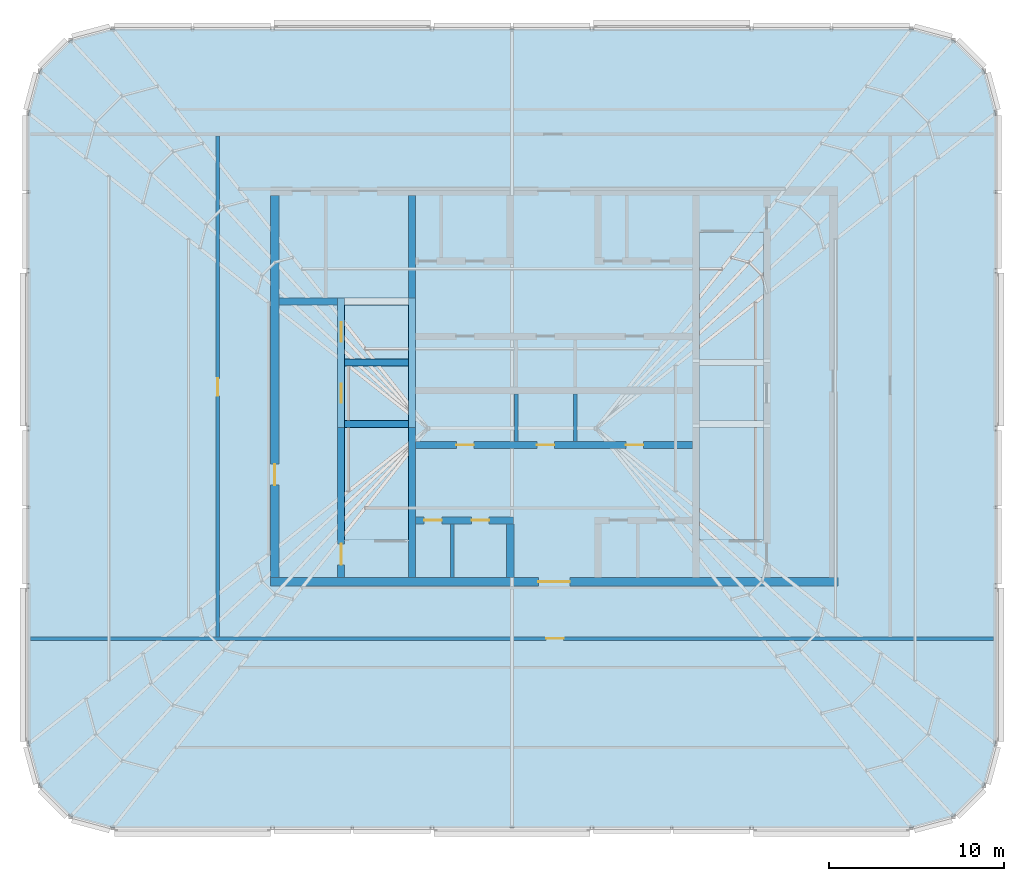
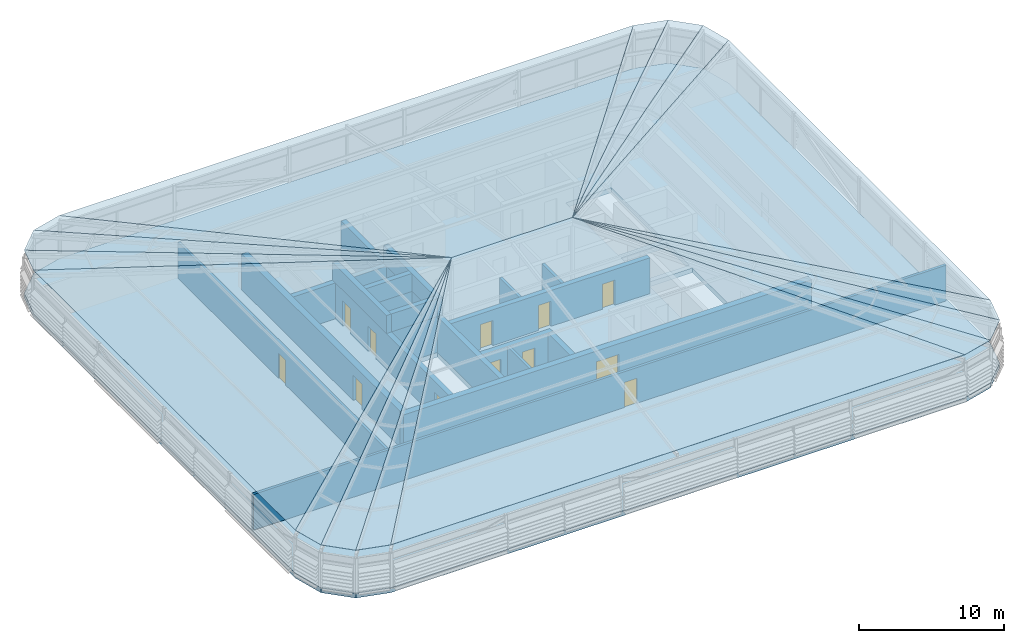
# One storey, part 21 of 46: 19 walls, 17 slabs, 12 doors, 12 openings.
"""IFC4 building model written with IfcOpenShell, lengths in metres."""

from ifc_helpers import new_model, si_unit, direction, frame, frame_2d, origin, place, context, subcontext, project, spatial, polyline, rectangle, outline, extrude, material, layer, layer_set, type_object, element, fill, save


model = new_model("IFC4")

# Units and contexts
model_context = context("Model", 3, precision=1e-05, world=origin(), true_north=direction((0.0, 1.0)))
body_context = subcontext(model_context, "Body", "Model", "MODEL_VIEW")
ifc_project = project(units=[si_unit("LENGTHUNIT", "METRE"), si_unit("AREAUNIT", "SQUARE_METRE"), si_unit("VOLUMEUNIT", "CUBIC_METRE"), si_unit("PLANEANGLEUNIT", "RADIAN"), si_unit("MASSUNIT", "GRAM", prefix="KILO")], contexts=[model_context])

# Site, building, storey
site_placement = place(None, origin())
site = spatial("IfcSite", under=ifc_project, at=site_placement, CompositionType="ELEMENT")
building_placement = place(site_placement, origin())
building = spatial("IfcBuilding", under=site, at=building_placement, Name="Madar Terraces", CompositionType="ELEMENT")
storey_placement = place(building_placement, frame((0.0, 0.0, 317.300048828125)))
storey = spatial("IfcBuildingStorey", under=building, at=storey_placement, Name="L82", CompositionType="ELEMENT", Elevation=317.300048828125)

# Slabs
ifc_material_1 = material(Name="Glass, safety glazing with ceramic frit, dark grey", Category="glass")
ifc_layer_1 = layer(ifc_material_1, 0.06005859375)
ifc_layer_set_1 = layer_set([ifc_layer_1], Name="Crown glass roof facet 60")
slab_type_1 = type_object("IfcSlabType", Name="Crown glass roof facet 60", PredefinedType="ROOF", material=ifc_layer_set_1)
for number, where, z_axis, x_axis, name in (
    (1, (6.0, 1.199951171875, 3.6142578125), (0.0, -0.172799118994, 0.984957087631), (1.0, 0.0, 0.0), "Glass roof facet S"),
    (2, (51.60009765625, 46.800048828125, 3.6142578125), (0.0, 0.172799118994, 0.984957087631), (-1.0, 0.0, 0.0), "Glass roof facet N"),
):
    element("IfcSlab", number, at=place(storey_placement, frame(where, z_axis=z_axis, x_axis=x_axis)), inside=storey, type_object=slab_type_1, Name=name, PredefinedType="ROOF", context=body_context, shape_type="SweptSolid", body=[
        extrude(outline(polyline([(0.0, 0.0), (45.60009765625, 0.0), (27.60009765625, 23.148266167574718), (18.0, 23.148266167574718), (0.0, 0.0)])), origin(), (0.0, 0.0, -1.0), 0.06005859375),
    ])
slab_1_placement = place(storey_placement, frame((51.60009765625, 1.199951171875, 3.6142578125), z_axis=(0.038372615076, -0.143205317464, 0.988948825502), x_axis=(0.965924366126, 0.258824494443, 0.0)))
element("IfcSlab", 3, at=slab_1_placement, inside=storey, type_object=slab_type_1, Name="Glass roof facet E1", PredefinedType="ROOF", context=body_context, shape_type="SweptSolid", body=[
    extrude(outline(polyline([(0.0, 0.0), (2.4845654876424637, 0.0), (-11.48542747905206, 26.980125688890336), (0.0, 0.0)])), origin(), (0.0, 0.0, -1.0), 0.06005859375),
])
slab_2_placement = place(storey_placement, frame((54.0, 1.843017578125, 3.6142578125), z_axis=(0.093179054812, -0.093166107882, 0.991280858327), x_axis=(0.70705765096, 0.707155907999, 0.0)))
element("IfcSlab", 4, at=slab_2_placement, inside=storey, type_object=slab_type_1, Name="Glass roof facet E2", PredefinedType="ROOF", context=body_context, shape_type="SweptSolid", body=[
    extrude(outline(polyline([(0.0, 0.0), (2.484713849165585, -2.220446049250313e-16), (1.2445339920692913, 30.356861181953555), (0.0, 0.0)])), origin(), (0.0, 0.0, -1.0), 0.06005859375),
])
slab_3_placement = place(storey_placement, frame((55.7568359375, 3.60009765625, 3.6142578125), z_axis=(0.143206555337, -0.038372946771, 0.98894863338), x_axis=(0.258824494443, 0.965924366126, 0.0)))
element("IfcSlab", 5, at=slab_3_placement, inside=storey, type_object=slab_type_1, Name="Glass roof facet E3", PredefinedType="ROOF", context=body_context, shape_type="SweptSolid", body=[
    extrude(outline(polyline([(0.0, 0.0), (2.4845654876424637, 0.0), (13.970056156268361, 26.979892473637744), (0.0, 0.0)])), origin(), (0.0, 0.0, -1.0), 0.06005859375),
])
slab_4_placement = place(storey_placement, frame((56.39990234375, 6.0, 3.6142578125), z_axis=(0.172800914079, 0.0, 0.984956772703), x_axis=(0.0, 1.0, 0.0)))
element("IfcSlab", 6, at=slab_4_placement, inside=storey, type_object=slab_type_1, Name="Glass roof facet E4", PredefinedType="ROOF", context=body_context, shape_type="SweptSolid", body=[
    extrude(outline(polyline([(0.0, 0.0), (36.0, 0.0), (18.0, 23.148025699574188), (0.0, 0.0)])), origin(), (0.0, 0.0, -1.0), 0.06005859375),
])
slab_5_placement = place(storey_placement, frame((56.39990234375, 42.0, 3.6142578125), z_axis=(0.143206555337, 0.038372946771, 0.98894863338), x_axis=(-0.258824494443, 0.965924366126, 0.0)))
element("IfcSlab", 7, at=slab_5_placement, inside=storey, type_object=slab_type_1, Name="Glass roof facet E5", PredefinedType="ROOF", context=body_context, shape_type="SweptSolid", body=[
    extrude(outline(polyline([(0.0, 0.0), (2.4845654876424637, 0.0), (-11.485490668625898, 26.97989247363774), (0.0, 0.0)])), origin(), (0.0, 0.0, -1.0), 0.06005859375),
])
slab_6_placement = place(storey_placement, frame((55.7568359375, 44.39990234375, 3.6142578125), z_axis=(0.093179054812, 0.093166107882, 0.991280858327), x_axis=(-0.70705765096, 0.707155907999, 0.0)))
element("IfcSlab", 8, at=slab_6_placement, inside=storey, type_object=slab_type_1, Name="Glass roof facet E6", PredefinedType="ROOF", context=body_context, shape_type="SweptSolid", body=[
    extrude(outline(polyline([(0.0, 0.0), (2.484713849165585, 2.220446049250313e-16), (1.2401798570962939, 30.356861181953555), (0.0, 0.0)])), origin(), (0.0, 0.0, -1.0), 0.06005859375),
])
slab_7_placement = place(storey_placement, frame((54.0, 46.156982421875, 3.6142578125), z_axis=(0.038372615076, 0.143205317464, 0.988948825502), x_axis=(-0.965924366126, 0.258824494443, 0.0)))
element("IfcSlab", 9, at=slab_7_placement, inside=storey, type_object=slab_type_1, Name="Glass roof facet E7", PredefinedType="ROOF", context=body_context, shape_type="SweptSolid", body=[
    extrude(outline(polyline([(0.0, 0.0), (2.4845654876424637, 0.0), (13.969992966694523, 26.980125688890336), (0.0, 0.0)])), origin(), (0.0, 0.0, -1.0), 0.06005859375),
])
slab_8_placement = place(storey_placement, frame((6.0, 46.800048828125, 3.6142578125), z_axis=(-0.038372615076, 0.143205317464, 0.988948825502), x_axis=(-0.965924366126, -0.258824494443, 0.0)))
element("IfcSlab", 10, at=slab_8_placement, inside=storey, type_object=slab_type_1, Name="Glass roof facet W1", PredefinedType="ROOF", context=body_context, shape_type="SweptSolid", body=[
    extrude(outline(polyline([(0.0, 0.0), (2.4845654876424637, 0.0), (-11.48542747905206, 26.980125688890336), (0.0, 0.0)])), origin(), (0.0, 0.0, -1.0), 0.06005859375),
])
slab_9_placement = place(storey_placement, frame((3.60009765625, 46.156982421875, 3.6142578125), z_axis=(-0.093172318716, 0.093172318716, 0.99128090774), x_axis=(-0.707106781187, -0.707106781187, 0.0)))
element("IfcSlab", 11, at=slab_9_placement, inside=storey, type_object=slab_type_1, Name="Glass roof facet W2", PredefinedType="ROOF", context=body_context, shape_type="SweptSolid", body=[
    extrude(outline(polyline([(0.0, 0.0), (2.4848864766599528, 0.0), (1.242443238329976, 30.356946824035884), (0.0, 0.0)])), origin(), (0.0, 0.0, -1.0), 0.06005859375),
])
slab_10_placement = place(storey_placement, frame((1.843017578125, 44.39990234375, 3.6142578125), z_axis=(-0.143205317464, 0.038372615076, 0.988948825502), x_axis=(-0.258824494443, -0.965924366126, 0.0)))
element("IfcSlab", 12, at=slab_10_placement, inside=storey, type_object=slab_type_1, Name="Glass roof facet W3", PredefinedType="ROOF", context=body_context, shape_type="SweptSolid", body=[
    extrude(outline(polyline([(0.0, 0.0), (2.4845654876424637, 0.0), (13.969992966694523, 26.980125688890336), (0.0, 0.0)])), origin(), (0.0, 0.0, -1.0), 0.06005859375),
])
slab_11_placement = place(storey_placement, frame((1.199951171875, 42.0, 3.6142578125), z_axis=(-0.172799118994, 0.0, 0.984957087631), x_axis=(0.0, -1.0, 0.0)))
element("IfcSlab", 13, at=slab_11_placement, inside=storey, type_object=slab_type_1, Name="Glass roof facet W4", PredefinedType="ROOF", context=body_context, shape_type="SweptSolid", body=[
    extrude(outline(polyline([(0.0, 0.0), (36.0, 0.0), (18.0, 23.148266167574718), (0.0, 0.0)])), origin(), (0.0, 0.0, -1.0), 0.06005859375),
])
slab_12_placement = place(storey_placement, frame((1.199951171875, 6.0, 3.6142578125), z_axis=(-0.143205317464, -0.038372615076, 0.988948825502), x_axis=(0.258824494443, -0.965924366126, 0.0)))
element("IfcSlab", 14, at=slab_12_placement, inside=storey, type_object=slab_type_1, Name="Glass roof facet W5", PredefinedType="ROOF", context=body_context, shape_type="SweptSolid", body=[
    extrude(outline(polyline([(0.0, 0.0), (2.4845654876424637, 0.0), (-11.48542747905206, 26.980125688890336), (0.0, 0.0)])), origin(), (0.0, 0.0, -1.0), 0.06005859375),
])
slab_13_placement = place(storey_placement, frame((1.843017578125, 3.60009765625, 3.6142578125), z_axis=(-0.093172318716, -0.093172318716, 0.99128090774), x_axis=(0.707106781187, -0.707106781187, 0.0)))
element("IfcSlab", 15, at=slab_13_placement, inside=storey, type_object=slab_type_1, Name="Glass roof facet W6", PredefinedType="ROOF", context=body_context, shape_type="SweptSolid", body=[
    extrude(outline(polyline([(0.0, 0.0), (2.4848864766599528, 0.0), (1.242443238329976, 30.356946824035884), (0.0, 0.0)])), origin(), (0.0, 0.0, -1.0), 0.06005859375),
])
slab_14_placement = place(storey_placement, frame((3.60009765625, 1.843017578125, 3.6142578125), z_axis=(-0.038372615076, -0.143205317464, 0.988948825502), x_axis=(0.965924366126, -0.258824494443, 0.0)))
element("IfcSlab", 16, at=slab_14_placement, inside=storey, type_object=slab_type_1, Name="Glass roof facet W7", PredefinedType="ROOF", context=body_context, shape_type="SweptSolid", body=[
    extrude(outline(polyline([(0.0, 0.0), (2.4845654876424637, 0.0), (13.969992966694523, 26.980125688890336), (0.0, 0.0)])), origin(), (0.0, 0.0, -1.0), 0.06005859375),
])
ifc_material_2 = material(Name="Concrete C50/60", Category="concrete")
ifc_layer_2 = layer(ifc_material_2, 0.39990234375)
ifc_layer_set_2 = layer_set([ifc_layer_2], Name="FS6 PT flat slab 400")
slab_type_2 = type_object("IfcSlabType", Name="FS6 PT flat slab 400", PredefinedType="FLOOR", material=ifc_layer_set_2)
slab_15_placement = place(storey_placement, frame((0.0, 0.0, -0.400146484375)))
element("IfcSlab", 17, at=slab_15_placement, inside=storey, type_object=slab_type_2, Name="Floor slab L82 (1)", PredefinedType="FLOOR", context=body_context, shape_type="SweptSolid", body=[
    extrude(outline(polyline([(51.60009765625, 1.199951171875), (54.0, 1.843017578125), (55.7568359375, 3.60009765625), (56.39990234375, 6.0), (56.39990234375, 42.0), (55.7568359375, 44.39990234375), (54.0, 46.156982421875), (51.60009765625, 46.800048828125), (6.0, 46.800048828125), (3.60009765625, 46.156982421875), (1.843017578125, 44.39990234375), (1.199951171875, 42.0), (1.199951171875, 6.0), (1.843017578125, 3.60009765625), (3.60009765625, 1.843017578125), (6.0, 1.199951171875), (51.60009765625, 1.199951171875)]), holes=[polyline([(22.89990234375, 24.050048828125), (22.89990234375, 17.64990234375), (19.25, 17.64990234375), (19.25, 24.050048828125), (22.89990234375, 24.050048828125)]), polyline([(43.14990234375, 17.64990234375), (39.5, 17.64990234375), (39.5, 24.050048828125), (43.14990234375, 24.050048828125), (43.14990234375, 17.64990234375)]), polyline([(22.89990234375, 24.449951171875), (19.25, 24.449951171875), (19.25, 27.550048828125), (22.89990234375, 27.550048828125), (22.89990234375, 24.449951171875)]), polyline([(43.14990234375, 27.550048828125), (43.14990234375, 24.449951171875), (39.5, 24.449951171875), (39.5, 27.550048828125), (43.14990234375, 27.550048828125)]), polyline([(22.89990234375, 27.949951171875), (19.25, 27.949951171875), (19.25, 31.050048828125), (22.89990234375, 31.050048828125), (22.89990234375, 27.949951171875)]), polyline([(43.14990234375, 27.949951171875), (39.5, 27.949951171875), (39.5, 35.14990234375), (43.14990234375, 35.14990234375), (43.14990234375, 27.949951171875)])]), origin(), (0.0, 0.0, 1.0), 0.400146484375),
])

# Wall, openings, doors
ifc_material_3 = material(Name="Concrete C50/60", Category="concrete")
ifc_layer_3 = layer(ifc_material_3, 0.39990234375)
ifc_layer_set_3 = layer_set([ifc_layer_3], Name="Concrete C50/60 (CIW6 RC wall 400)")
wall_type_1 = type_object("IfcWallType", Name="CIW6 RC wall 400", PredefinedType="SHEAR", material=ifc_layer_set_3)
wall_1_placement = place(storey_placement, frame((19.050048828125, 15.5, 0.0), z_axis=(0.0, 0.0, 1.0), x_axis=(0.0, 1.0, 0.0)))
wall_1 = element("IfcWall", 18, at=wall_1_placement, inside=storey, type_object=wall_type_1, Name="CORE SHAFT WALL", PredefinedType="SHEAR", context=body_context, shape_type="SweptSolid", body=[
    extrude(rectangle(XDim=15.550048828125, YDim=0.39990234375, at=frame_2d((7.77490234375, 0.0))), origin(), (0.0, 0.0, 1.0), 3.0),
])
opening_1_placement = place(wall_1_placement, frame((9.949951171875, 0.0, 0.0)))
opening_1 = element("IfcOpeningElement", 19, at=opening_1_placement, cuts=wall_1, Name="Opening LD", PredefinedType="OPENING", context=body_context, shape_type="SweptSolid", body=[
    extrude(rectangle(XDim=1.10009765625, YDim=2.10009765625, at=frame_2d((0.550048828125, 1.050048828125))), frame((0.0, 0.2099609375, 0.0), z_axis=(0.0, -1.0, 0.0), x_axis=(1.0, 0.0, 0.0)), (0.0, 0.0, 1.0), 0.419921875),
])
opening_2_placement = place(wall_1_placement, frame((13.449951171875, 0.0, 0.0)))
opening_2 = element("IfcOpeningElement", 20, at=opening_2_placement, cuts=wall_1, Name="Opening LD", PredefinedType="OPENING", context=body_context, shape_type="SweptSolid", body=[
    extrude(rectangle(XDim=1.10009765625, YDim=2.10009765625, at=frame_2d((0.550048828125, 1.050048828125))), frame((0.0, 0.2099609375, 0.0), z_axis=(0.0, -1.0, 0.0), x_axis=(1.0, 0.0, 0.0)), (0.0, 0.0, 1.0), 0.419921875),
])
opening_3_placement = place(wall_1_placement, frame((0.699951171875, 0.0, 0.0)))
opening_3 = element("IfcOpeningElement", 21, at=opening_3_placement, cuts=wall_1, Name="Opening SD1", PredefinedType="OPENING", context=body_context, shape_type="SweptSolid", body=[
    extrude(rectangle(XDim=1.199951171875, YDim=2.10009765625, at=frame_2d((0.60009765625, 1.050048828125))), frame((0.0, 0.2099609375, 0.0), z_axis=(0.0, -1.0, 0.0), x_axis=(1.0, 0.0, 0.0)), (0.0, 0.0, 1.0), 0.419921875),
])
ifc_material_4 = material(Name="Stainless steel panel", Category="steel")
door_type_1 = type_object("IfcDoorType", Name="Lift landing door 1100 x 2100", OperationType="DOUBLE_DOOR_SLIDING", PredefinedType="DOOR", material=ifc_material_4)
door_1_placement = place(opening_1_placement, origin())
door_1 = element("IfcDoor", 22, at=door_1_placement, inside=storey, type_object=door_type_1, Name="LIFT LANDING DOOR", OperationType="DOUBLE_DOOR_SLIDING", OverallHeight=2.10009765625, OverallWidth=1.10009765625, PredefinedType="DOOR", context=body_context, shape_type="SweptSolid", body=[
    extrude(rectangle(XDim=1.10009765625, YDim=2.10009765625, at=frame_2d((0.550048828125, 1.050048828125))), frame((0.0, 0.02490234375, 0.0), z_axis=(0.0, -1.0, 0.0), x_axis=(1.0, 0.0, 0.0)), (0.0, 0.0, 1.0), 0.050048828125),
])
fill(opening_1, door_1)
door_2_placement = place(opening_2_placement, origin())
door_2 = element("IfcDoor", 23, at=door_2_placement, inside=storey, type_object=door_type_1, Name="LIFT LANDING DOOR", OperationType="DOUBLE_DOOR_SLIDING", OverallHeight=2.10009765625, OverallWidth=1.10009765625, PredefinedType="DOOR", context=body_context, shape_type="SweptSolid", body=[
    extrude(rectangle(XDim=1.10009765625, YDim=2.10009765625, at=frame_2d((0.550048828125, 1.050048828125))), frame((0.0, 0.02490234375, 0.0), z_axis=(0.0, -1.0, 0.0), x_axis=(1.0, 0.0, 0.0)), (0.0, 0.0, 1.0), 0.050048828125),
])
fill(opening_2, door_2)
ifc_material_5 = material(Name="Steel door leaf", Category="steel")
door_type_2 = type_object("IfcDoorType", Name="Stair door 1200 x 2100", OperationType="NOTDEFINED", PredefinedType="DOOR", material=ifc_material_5)
door_3_placement = place(opening_3_placement, frame((1.199951171875, 0.0, 0.0), z_axis=(0.0, 0.0, 1.0), x_axis=(-1.0, 0.0, 0.0)))
door_3 = element("IfcDoor", 24, at=door_3_placement, inside=storey, type_object=door_type_2, Name="STAIR DOOR", OperationType="SINGLE_SWING_RIGHT", OverallHeight=2.10009765625, OverallWidth=1.199951171875, PredefinedType="DOOR", context=body_context, shape_type="SweptSolid", body=[
    extrude(rectangle(XDim=1.199951171875, YDim=2.10009765625, at=frame_2d((0.60009765625, 1.050048828125))), frame((0.0, 0.02490234375, 0.0), z_axis=(0.0, -1.0, 0.0), x_axis=(1.0, 0.0, 0.0)), (0.0, 0.0, 1.0), 0.050048828125),
])
fill(opening_3, door_3)

# Walls
wall_2_placement = place(storey_placement, frame((23.10009765625, 15.5, 0.0), z_axis=(0.0, 0.0, 1.0), x_axis=(0.0, 1.0, 0.0)))
element("IfcWall", 25, at=wall_2_placement, inside=storey, type_object=wall_type_1, Name="CORE SHAFT WALL", PredefinedType="SHEAR", context=body_context, shape_type="SweptSolid", body=[
    extrude(rectangle(XDim=21.800048828125, YDim=0.39990234375, at=frame_2d((10.89990234375, 0.0))), origin(), (0.0, 0.0, 1.0), 3.0),
])
for number, where, z_axis, x_axis, name in (
    (26, (19.25, 24.25, 0.0), (0.0, 0.0, 1.0), (1.0, 0.0, 0.0), "CORE SHAFT WALL"),
    (27, (19.25, 27.75, 0.0), (0.0, 0.0, 1.0), (1.0, 0.0, 0.0), "CORE SHAFT WALL"),
):
    element("IfcWall", number, at=place(storey_placement, frame(where, z_axis=z_axis, x_axis=x_axis)), inside=storey, type_object=wall_type_1, Name=name, PredefinedType="SHEAR", context=body_context, shape_type="SweptSolid", body=[
        extrude(rectangle(XDim=3.64990234375, YDim=0.39990234375, at=frame_2d((1.824951171875, 0.0))), origin(), (0.0, 0.0, 1.0), 3.0),
    ])
wall_3_placement = place(storey_placement, frame((15.5, 31.25, 0.0), z_axis=(0.0, 0.0, 1.0), x_axis=(1.0, 0.0, 0.0)))
element("IfcWall", 28, at=wall_3_placement, inside=storey, type_object=wall_type_1, Name="CORE SHAFT WALL", PredefinedType="SHEAR", context=body_context, shape_type="SweptSolid", body=[
    extrude(rectangle(XDim=7.39990234375, YDim=0.39990234375, at=frame_2d((3.699951171875, 0.0))), origin(), (0.0, 0.0, 1.0), 3.0),
])

# Wall, openings, doors
wall_4_placement = place(storey_placement, frame((23.300048828125, 18.75, 0.0), z_axis=(0.0, 0.0, 1.0), x_axis=(1.0, 0.0, 0.0)))
wall_4 = element("IfcWall", 29, at=wall_4_placement, inside=storey, type_object=wall_type_1, Name="CORE SHAFT WALL", PredefinedType="SHEAR", context=body_context, shape_type="SweptSolid", body=[
    extrude(rectangle(XDim=5.599853515625, YDim=0.39990234375, at=frame_2d((2.7998046875, 0.0))), origin(), (0.0, 0.0, 1.0), 3.0),
])
opening_4_placement = place(wall_4_placement, frame((0.489990234375, 0.0, 0.0)))
opening_4 = element("IfcOpeningElement", 30, at=opening_4_placement, cuts=wall_4, Name="Opening KD2", PredefinedType="OPENING", context=body_context, shape_type="SweptSolid", body=[
    extrude(rectangle(XDim=1.0, YDim=2.10009765625, at=frame_2d((0.5, 1.050048828125))), frame((0.0, 0.2099609375, 0.0), z_axis=(0.0, -1.0, 0.0), x_axis=(1.0, 0.0, 0.0)), (0.0, 0.0, 1.0), 0.419921875),
])
opening_5_placement = place(wall_4_placement, frame((3.18994140625, 0.0, 0.0)))
opening_5 = element("IfcOpeningElement", 31, at=opening_5_placement, cuts=wall_4, Name="Opening KD2", PredefinedType="OPENING", context=body_context, shape_type="SweptSolid", body=[
    extrude(rectangle(XDim=1.0, YDim=2.10009765625, at=frame_2d((0.5, 1.050048828125))), frame((0.0, 0.2099609375, 0.0), z_axis=(0.0, -1.0, 0.0), x_axis=(1.0, 0.0, 0.0)), (0.0, 0.0, 1.0), 0.419921875),
])
ifc_material_6 = material(Name="Steel door leaf", Category="steel")
door_type_3 = type_object("IfcDoorType", Name="Service room door 1000 x 2100", OperationType="NOTDEFINED", PredefinedType="DOOR", material=ifc_material_6)
door_4_placement = place(opening_4_placement, origin())
door_4 = element("IfcDoor", 32, at=door_4_placement, inside=storey, type_object=door_type_3, Name="SERVICE ROOM DOOR", OperationType="SINGLE_SWING_LEFT", OverallHeight=2.10009765625, OverallWidth=1.0, PredefinedType="DOOR", context=body_context, shape_type="SweptSolid", body=[
    extrude(rectangle(XDim=1.0, YDim=2.10009765625, at=frame_2d((0.5, 1.050048828125))), frame((0.0, 0.02490234375, 0.0), z_axis=(0.0, -1.0, 0.0), x_axis=(1.0, 0.0, 0.0)), (0.0, 0.0, 1.0), 0.050048828125),
])
fill(opening_4, door_4)
door_5_placement = place(opening_5_placement, origin())
door_5 = element("IfcDoor", 33, at=door_5_placement, inside=storey, type_object=door_type_3, Name="SERVICE ROOM DOOR", OperationType="SINGLE_SWING_RIGHT", OverallHeight=2.10009765625, OverallWidth=1.0, PredefinedType="DOOR", context=body_context, shape_type="SweptSolid", body=[
    extrude(rectangle(XDim=1.0, YDim=2.10009765625, at=frame_2d((0.5, 1.050048828125))), frame((0.0, 0.02490234375, 0.0), z_axis=(0.0, -1.0, 0.0), x_axis=(1.0, 0.0, 0.0)), (0.0, 0.0, 1.0), 0.050048828125),
])
fill(opening_5, door_5)

wall_5_placement = place(storey_placement, frame((23.300048828125, 23.050048828125, 0.0), z_axis=(0.0, 0.0, 1.0), x_axis=(1.0, 0.0, 0.0)))
wall_5 = element("IfcWall", 34, at=wall_5_placement, inside=storey, type_object=wall_type_1, Name="CORE SHAFT WALL", PredefinedType="SHEAR", context=body_context, shape_type="SweptSolid", body=[
    extrude(rectangle(XDim=15.800048828125, YDim=0.39990234375, at=frame_2d((7.89990234375, 0.0))), origin(), (0.0, 0.0, 1.0), 3.0),
])
opening_6_placement = place(wall_5_placement, frame((2.3203125, 0.0, 0.0)))
opening_6 = element("IfcOpeningElement", 35, at=opening_6_placement, cuts=wall_5, Name="Opening KD2", PredefinedType="OPENING", context=body_context, shape_type="SweptSolid", body=[
    extrude(rectangle(XDim=1.0, YDim=2.10009765625, at=frame_2d((0.5, 1.050048828125))), frame((0.0, 0.2099609375, 0.0), z_axis=(0.0, -1.0, 0.0), x_axis=(1.0, 0.0, 0.0)), (0.0, 0.0, 1.0), 0.419921875),
])
opening_7_placement = place(wall_5_placement, frame((6.926025390625, 0.0, 0.0)))
opening_7 = element("IfcOpeningElement", 36, at=opening_7_placement, cuts=wall_5, Name="Opening KD2", PredefinedType="OPENING", context=body_context, shape_type="SweptSolid", body=[
    extrude(rectangle(XDim=1.0, YDim=2.10009765625, at=frame_2d((0.5, 1.050048828125))), frame((0.0, 0.2099609375, 0.0), z_axis=(0.0, -1.0, 0.0), x_axis=(1.0, 0.0, 0.0)), (0.0, 0.0, 1.0), 0.419921875),
])
opening_8_placement = place(wall_5_placement, frame((12.005615234375, 0.0, 0.0)))
opening_8 = element("IfcOpeningElement", 37, at=opening_8_placement, cuts=wall_5, Name="Opening KD2", PredefinedType="OPENING", context=body_context, shape_type="SweptSolid", body=[
    extrude(rectangle(XDim=1.0, YDim=2.10009765625, at=frame_2d((0.5, 1.050048828125))), frame((0.0, 0.2099609375, 0.0), z_axis=(0.0, -1.0, 0.0), x_axis=(1.0, 0.0, 0.0)), (0.0, 0.0, 1.0), 0.419921875),
])
door_6_placement = place(opening_6_placement, frame((1.0, 0.0, 0.0), z_axis=(0.0, 0.0, 1.0), x_axis=(-1.0, 0.0, 0.0)))
door_6 = element("IfcDoor", 38, at=door_6_placement, inside=storey, type_object=door_type_3, Name="SERVICE ROOM DOOR", OperationType="SINGLE_SWING_LEFT", OverallHeight=2.10009765625, OverallWidth=1.0, PredefinedType="DOOR", context=body_context, shape_type="SweptSolid", body=[
    extrude(rectangle(XDim=1.0, YDim=2.10009765625, at=frame_2d((0.5, 1.050048828125))), frame((0.0, 0.02490234375, 0.0), z_axis=(0.0, -1.0, 0.0), x_axis=(1.0, 0.0, 0.0)), (0.0, 0.0, 1.0), 0.050048828125),
])
fill(opening_6, door_6)
door_7_placement = place(opening_7_placement, frame((1.0, 0.0, 0.0), z_axis=(0.0, 0.0, 1.0), x_axis=(-1.0, 0.0, 0.0)))
door_7 = element("IfcDoor", 39, at=door_7_placement, inside=storey, type_object=door_type_3, Name="SERVICE ROOM DOOR", OperationType="SINGLE_SWING_RIGHT", OverallHeight=2.10009765625, OverallWidth=1.0, PredefinedType="DOOR", context=body_context, shape_type="SweptSolid", body=[
    extrude(rectangle(XDim=1.0, YDim=2.10009765625, at=frame_2d((0.5, 1.050048828125))), frame((0.0, 0.02490234375, 0.0), z_axis=(0.0, -1.0, 0.0), x_axis=(1.0, 0.0, 0.0)), (0.0, 0.0, 1.0), 0.050048828125),
])
fill(opening_7, door_7)
door_8_placement = place(opening_8_placement, frame((1.0, 0.0, 0.0), z_axis=(0.0, 0.0, 1.0), x_axis=(-1.0, 0.0, 0.0)))
door_8 = element("IfcDoor", 40, at=door_8_placement, inside=storey, type_object=door_type_3, Name="SERVICE ROOM DOOR", OperationType="SINGLE_SWING_LEFT", OverallHeight=2.10009765625, OverallWidth=1.0, PredefinedType="DOOR", context=body_context, shape_type="SweptSolid", body=[
    extrude(rectangle(XDim=1.0, YDim=2.10009765625, at=frame_2d((0.5, 1.050048828125))), frame((0.0, 0.02490234375, 0.0), z_axis=(0.0, -1.0, 0.0), x_axis=(1.0, 0.0, 0.0)), (0.0, 0.0, 1.0), 0.050048828125),
])
fill(opening_8, door_8)

# Walls
wall_6_placement = place(storey_placement, frame((28.699951171875, 15.5, 0.0), z_axis=(0.0, 0.0, 1.0), x_axis=(0.0, 1.0, 0.0)))
element("IfcWall", 41, at=wall_6_placement, inside=storey, type_object=wall_type_1, Name="CORE SHAFT WALL", PredefinedType="SHEAR", context=body_context, shape_type="SweptSolid", body=[
    extrude(rectangle(XDim=3.050048828125, YDim=0.39990234375, at=frame_2d((1.52490234375, 0.0))), origin(), (0.0, 0.0, 1.0), 3.0),
])
ifc_material_7 = material(Name="Concrete C50/60", Category="concrete")
ifc_layer_4 = layer(ifc_material_7, 0.39990234375)
ifc_layer_set_4 = layer_set([ifc_layer_4], Name="Concrete C50/60 (CIW6A RC wall 400)")
wall_type_2 = type_object("IfcWallType", Name="CIW6A RC wall 400", PredefinedType="SHEAR", material=ifc_layer_set_4)
for number, where, z_axis, x_axis, name in (
    (42, (19.050048828125, 24.050048828125, 3.0), (0.0, 0.0, 1.0), (0.0, 1.0, 0.0), "LIFT OVERRUN WALL"),
    (43, (23.10009765625, 24.050048828125, 3.0), (0.0, 0.0, 1.0), (0.0, 1.0, 0.0), "LIFT OVERRUN WALL"),
):
    element("IfcWall", number, at=place(storey_placement, frame(where, z_axis=z_axis, x_axis=x_axis)), inside=storey, type_object=wall_type_2, Name=name, PredefinedType="SHEAR", context=body_context, shape_type="SweptSolid", body=[
        extrude(rectangle(XDim=7.39990234375, YDim=0.39990234375, at=frame_2d((3.699951171875, 0.0))), origin(), (0.0, 0.0, 1.0), 1.5),
    ])
for number, where, z_axis, x_axis, name in (
    (44, (19.25, 24.25, 3.0), (0.0, 0.0, 1.0), (1.0, 0.0, 0.0), "LIFT OVERRUN WALL"),
    (45, (19.25, 27.75, 3.0), (0.0, 0.0, 1.0), (1.0, 0.0, 0.0), "LIFT OVERRUN WALL"),
):
    element("IfcWall", number, at=place(storey_placement, frame(where, z_axis=z_axis, x_axis=x_axis)), inside=storey, type_object=wall_type_2, Name=name, PredefinedType="SHEAR", context=body_context, shape_type="SweptSolid", body=[
        extrude(rectangle(XDim=3.64990234375, YDim=0.39990234375, at=frame_2d((1.824951171875, 0.0))), origin(), (0.0, 0.0, 1.0), 1.5),
    ])

# Wall, opening, door
ifc_material_8 = material(Name="Concrete C50/60", Category="concrete")
ifc_layer_5 = layer(ifc_material_8, 0.5)
ifc_layer_set_5 = layer_set([ifc_layer_5], Name="Concrete C50/60 (CRW6 RC wall 500)")
wall_type_3 = type_object("IfcWallType", Name="CRW6 RC wall 500", PredefinedType="SHEAR", material=ifc_layer_set_5)
wall_7_placement = place(storey_placement, frame((15.0, 15.25, 0.0), z_axis=(0.0, 0.0, 1.0), x_axis=(1.0, 0.0, 0.0)))
wall_7 = element("IfcWall", 46, at=wall_7_placement, inside=storey, type_object=wall_type_3, Name="CORE OUTER WALL", PredefinedType="SHEAR", context=body_context, shape_type="SweptSolid", body=[
    extrude(rectangle(XDim=32.39990234375, YDim=0.5, at=frame_2d((16.199951171875, 0.0))), origin(), (0.0, 0.0, 1.0), 3.0),
])
opening_9_placement = place(wall_7_placement, frame((15.300048828125, 0.0, 0.0)))
opening_9 = element("IfcOpeningElement", 47, at=opening_9_placement, cuts=wall_7, Name="Opening KD1", PredefinedType="OPENING", context=body_context, shape_type="SweptSolid", body=[
    extrude(rectangle(XDim=1.800048828125, YDim=2.10009765625, at=frame_2d((0.89990234375, 1.050048828125))), frame((0.0, 0.260009765625, 0.0), z_axis=(0.0, -1.0, 0.0), x_axis=(1.0, 0.0, 0.0)), (0.0, 0.0, 1.0), 0.52001953125),
])
ifc_material_9 = material(Name="Steel door leaf", Category="steel")
door_type_4 = type_object("IfcDoorType", Name="Lobby door pair 1800 x 2100", OperationType="DOUBLE_DOOR_SINGLE_SWING", PredefinedType="DOOR", material=ifc_material_9)
door_9_placement = place(opening_9_placement, frame((1.800048828125, 0.0, 0.0), z_axis=(0.0, 0.0, 1.0), x_axis=(-1.0, 0.0, 0.0)))
door_9 = element("IfcDoor", 48, at=door_9_placement, inside=storey, type_object=door_type_4, Name="LIFT LOBBY DOOR", OperationType="DOUBLE_DOOR_SINGLE_SWING", OverallHeight=2.10009765625, OverallWidth=1.800048828125, PredefinedType="DOOR", context=body_context, shape_type="SweptSolid", body=[
    extrude(rectangle(XDim=1.800048828125, YDim=2.10009765625, at=frame_2d((0.89990234375, 1.050048828125))), frame((0.0, 0.02490234375, 0.0), z_axis=(0.0, -1.0, 0.0), x_axis=(1.0, 0.0, 0.0)), (0.0, 0.0, 1.0), 0.050048828125),
])
fill(opening_9, door_9)

wall_8_placement = place(storey_placement, frame((15.25, 15.5, 0.0), z_axis=(0.0, 0.0, 1.0), x_axis=(0.0, 1.0, 0.0)))
wall_8 = element("IfcWall", 49, at=wall_8_placement, inside=storey, type_object=wall_type_3, Name="CORE OUTER WALL", PredefinedType="SHEAR", context=body_context, shape_type="SweptSolid", body=[
    extrude(rectangle(XDim=21.800048828125, YDim=0.5, at=frame_2d((10.89990234375, 0.0))), origin(), (0.0, 0.0, 1.0), 3.0),
])
opening_10_placement = place(wall_8_placement, frame((5.260009765625, 0.0, 0.0)))
opening_10 = element("IfcOpeningElement", 50, at=opening_10_placement, cuts=wall_8, Name="Opening SD1", PredefinedType="OPENING", context=body_context, shape_type="SweptSolid", body=[
    extrude(rectangle(XDim=1.199951171875, YDim=2.10009765625, at=frame_2d((0.60009765625, 1.050048828125))), frame((0.0, 0.260009765625, 0.0), z_axis=(0.0, -1.0, 0.0), x_axis=(1.0, 0.0, 0.0)), (0.0, 0.0, 1.0), 0.52001953125),
])
door_10_placement = place(opening_10_placement, frame((1.199951171875, 0.0, 0.0), z_axis=(0.0, 0.0, 1.0), x_axis=(-1.0, 0.0, 0.0)))
door_10 = element("IfcDoor", 51, at=door_10_placement, inside=storey, type_object=door_type_2, Name="STAIR DOOR", OperationType="SINGLE_SWING_LEFT", OverallHeight=2.10009765625, OverallWidth=1.199951171875, PredefinedType="DOOR", context=body_context, shape_type="SweptSolid", body=[
    extrude(rectangle(XDim=1.199951171875, YDim=2.10009765625, at=frame_2d((0.60009765625, 1.050048828125))), frame((0.0, 0.02490234375, 0.0), z_axis=(0.0, -1.0, 0.0), x_axis=(1.0, 0.0, 0.0)), (0.0, 0.0, 1.0), 0.050048828125),
])
fill(opening_10, door_10)

# Walls
ifc_material_10 = material(Name="Masonry blockwork", Category="masonry")
ifc_layer_6 = layer(ifc_material_10, 0.199951171875)
ifc_layer_set_6 = layer_set([ifc_layer_6], Name="Core partition 200 blockwork")
wall_type_4 = type_object("IfcWallType", Name="Core partition 200 blockwork", PredefinedType="PARTITIONING", material=ifc_layer_set_6)
for number, where, z_axis, x_axis, name in (
    (52, (29.040771484375, 23.25, 0.0), (0.0, 0.0, 1.0), (0.0, 1.0, 0.0), "SERVICE ROOM PARTITION"),
    (53, (32.411376953125, 23.25, 0.0), (0.0, 0.0, 1.0), (0.0, 1.0, 0.0), "SERVICE ROOM PARTITION"),
):
    element("IfcWall", number, at=place(storey_placement, frame(where, z_axis=z_axis, x_axis=x_axis)), inside=storey, type_object=wall_type_4, Name=name, PredefinedType="PARTITIONING", context=body_context, shape_type="SweptSolid", body=[
        extrude(rectangle(XDim=2.699951171875, YDim=0.199951171875, at=frame_2d((1.35009765625, 0.0))), origin(), (0.0, 0.0, 1.0), 3.0),
    ])
wall_9_placement = place(storey_placement, frame((25.3798828125, 15.5, 0.0), z_axis=(0.0, 0.0, 1.0), x_axis=(0.0, 1.0, 0.0)))
element("IfcWall", 54, at=wall_9_placement, inside=storey, type_object=wall_type_4, Name="SERVICE ROOM PARTITION", PredefinedType="PARTITIONING", context=body_context, shape_type="SweptSolid", body=[
    extrude(rectangle(XDim=3.050048828125, YDim=0.199951171875, at=frame_2d((1.52490234375, 0.0))), origin(), (0.0, 0.0, 1.0), 3.0),
])

# Wall, opening, door
ifc_material_11 = material(Name="Blockwork", Category="masonry")
ifc_layer_7 = layer(ifc_material_11, 0.199951171875)
ifc_layer_set_7 = layer_set([ifc_layer_7], Name="Partition 200 EI 120")
wall_type_5 = type_object("IfcWallType", Name="Partition 200 EI 120", PredefinedType="PARTITIONING", material=ifc_layer_set_7)
wall_10_placement = place(storey_placement, frame((56.300048828125, 12.0, 0.0), z_axis=(0.0, 0.0, 1.0), x_axis=(-1.0, 0.0, 0.0)))
wall_10 = element("IfcWall", 55, at=wall_10_placement, inside=storey, type_object=wall_type_5, Name="Wall STORE PLANT ROOM", PredefinedType="PARTITIONING", context=body_context, shape_type="SweptSolid", body=[
    extrude(rectangle(XDim=55.0, YDim=0.199951171875, at=frame_2d((27.5, 0.0))), origin(), (0.0, 0.0, 1.0), 3.0),
])
opening_11_placement = place(wall_10_placement, frame((24.550048828125, 0.0, 0.0)))
opening_11 = element("IfcOpeningElement", 56, at=opening_11_placement, cuts=wall_10, Name="Opening D33", PredefinedType="OPENING", context=body_context, shape_type="SweptSolid", body=[
    extrude(rectangle(XDim=1.0, YDim=2.10009765625, at=frame_2d((0.5, 1.050048828125))), frame((0.0, 0.10986328125, 0.0), z_axis=(0.0, -1.0, 0.0), x_axis=(1.0, 0.0, 0.0)), (0.0, 0.0, 1.0), 0.219970703125),
])
ifc_material_12 = material(Name="Timber door leaf, fire-rated", Category="wood")
door_type_5 = type_object("IfcDoorType", Name="Podium door 1000 x 2100 FD90S", OperationType="NOTDEFINED", PredefinedType="DOOR", material=ifc_material_12)
door_11_placement = place(opening_11_placement, origin())
door_11 = element("IfcDoor", 57, at=door_11_placement, inside=storey, type_object=door_type_5, Name="Door STORE PLANT ROOM / RING CORRIDOR", OperationType="SINGLE_SWING_LEFT", OverallHeight=2.10009765625, OverallWidth=1.0, PredefinedType="DOOR", context=body_context, shape_type="SweptSolid", body=[
    extrude(rectangle(XDim=1.0, YDim=2.10009765625, at=frame_2d((0.5, 1.050048828125))), frame((0.0, 0.02490234375, 0.0), z_axis=(0.0, -1.0, 0.0), x_axis=(1.0, 0.0, 0.0)), (0.0, 0.0, 1.0), 0.050048828125),
])
fill(opening_11, door_11)

wall_11_placement = place(storey_placement, frame((12.0, 12.10009765625, 0.0), z_axis=(0.0, 0.0, 1.0), x_axis=(0.0, 1.0, 0.0)))
wall_11 = element("IfcWall", 58, at=wall_11_placement, inside=storey, type_object=wall_type_5, Name="Wall WATER TANK ROOM / RING CORRIDOR", PredefinedType="PARTITIONING", context=body_context, shape_type="SweptSolid", body=[
    extrude(rectangle(XDim=28.599853515625, YDim=0.199951171875, at=frame_2d((14.2998046875, 0.0))), origin(), (0.0, 0.0, 1.0), 3.0),
])
opening_12_placement = place(wall_11_placement, frame((13.75, 0.0, 0.0)))
opening_12 = element("IfcOpeningElement", 59, at=opening_12_placement, cuts=wall_11, Name="Opening D33", PredefinedType="OPENING", context=body_context, shape_type="SweptSolid", body=[
    extrude(rectangle(XDim=1.0, YDim=2.10009765625, at=frame_2d((0.5, 1.050048828125))), frame((0.0, 0.10986328125, 0.0), z_axis=(0.0, -1.0, 0.0), x_axis=(1.0, 0.0, 0.0)), (0.0, 0.0, 1.0), 0.219970703125),
])
door_12_placement = place(opening_12_placement, origin())
door_12 = element("IfcDoor", 60, at=door_12_placement, inside=storey, type_object=door_type_5, Name="Door WATER TANK ROOM / RING CORRIDOR", OperationType="SINGLE_SWING_LEFT", OverallHeight=2.10009765625, OverallWidth=1.0, PredefinedType="DOOR", context=body_context, shape_type="SweptSolid", body=[
    extrude(rectangle(XDim=1.0, YDim=2.10009765625, at=frame_2d((0.5, 1.050048828125))), frame((0.0, 0.02490234375, 0.0), z_axis=(0.0, -1.0, 0.0), x_axis=(1.0, 0.0, 0.0)), (0.0, 0.0, 1.0), 0.050048828125),
])
fill(opening_12, door_12)

save(model, "model.ifc")
